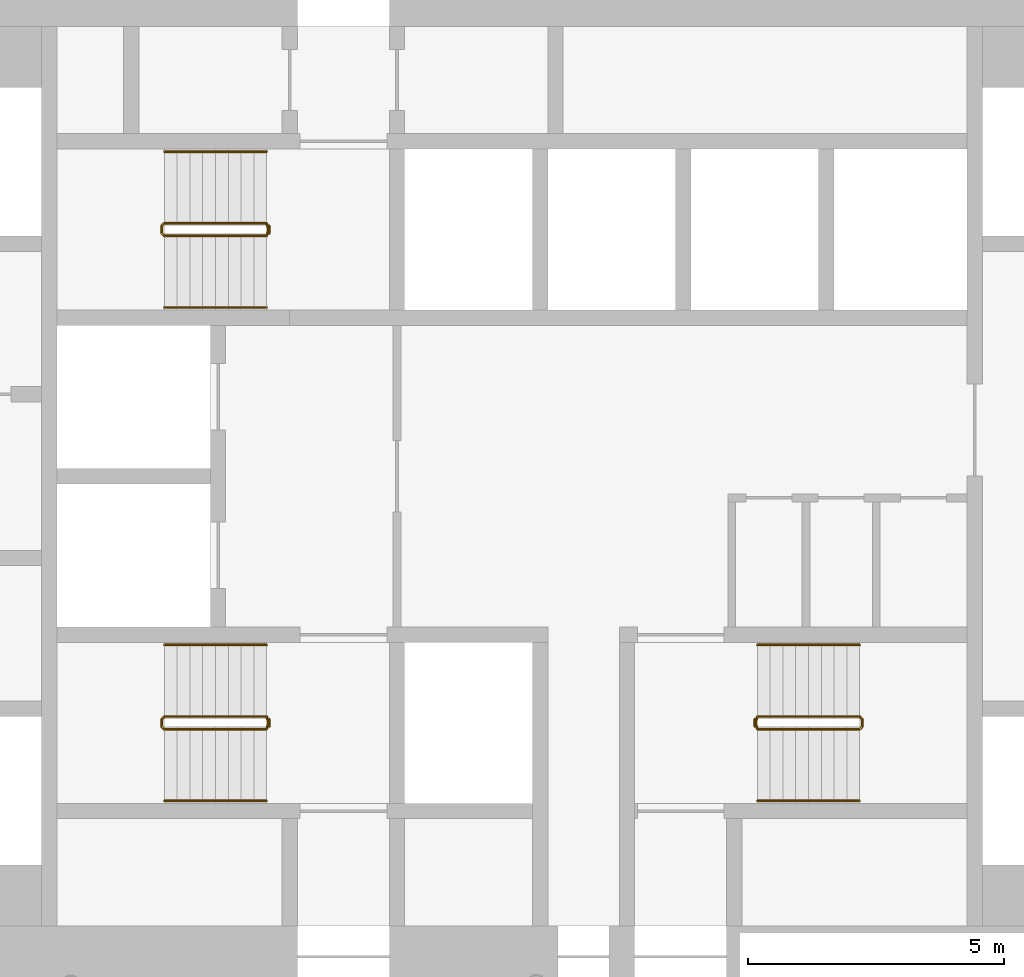
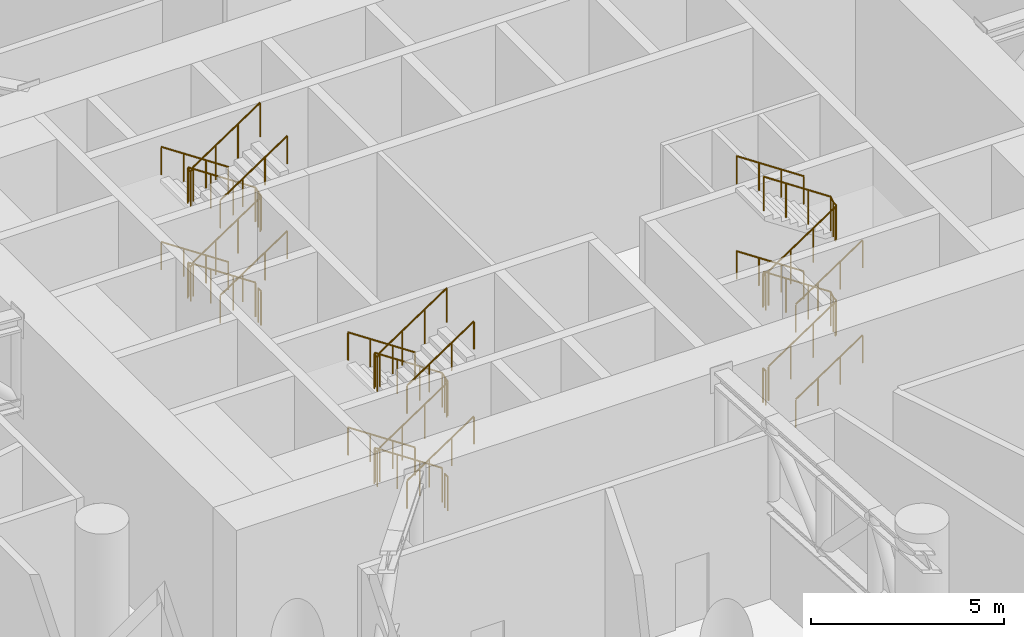
# One storey, part 17 of 17: 18 railings.
"""IFC4 building model written with IfcOpenShell, lengths in metres."""

from ifc_helpers import new_model, si_unit, direction, frame, origin, origin_2d, place, context, subcontext, project, spatial, circle, extrude, material, type_object, element, save


model = new_model("IFC4")

# Units and contexts
model_context = context("Model", 3, precision=1e-05, world=origin(), true_north=direction((0.0, 1.0)))
body_context = subcontext(model_context, "Body", "Model", "MODEL_VIEW")
ifc_project = project(units=[si_unit("LENGTHUNIT", "METRE"), si_unit("AREAUNIT", "SQUARE_METRE"), si_unit("VOLUMEUNIT", "CUBIC_METRE"), si_unit("PLANEANGLEUNIT", "RADIAN"), si_unit("MASSUNIT", "GRAM", prefix="KILO")], contexts=[model_context])

# Site, building, storey
site_placement = place(None, origin())
site = spatial("IfcSite", under=ifc_project, at=site_placement, CompositionType="ELEMENT")
building_placement = place(site_placement, origin())
building = spatial("IfcBuilding", under=site, at=building_placement, Name="Tracery Tower", CompositionType="ELEMENT")
storey_placement = place(building_placement, frame((0.0, 0.0, 120.0)))
storey = spatial("IfcBuildingStorey", under=building, at=storey_placement, Name="L30 Plant", CompositionType="ELEMENT", Elevation=120.0)

# Railings
ifc_material_1 = material(Name="Stainless steel and laminated glass", Category="steel")
railing_type_1 = type_object("IfcRailingType", Name="Stair guard 1100", PredefinedType="GUARDRAIL", material=ifc_material_1)
railing_1_placement = place(storey_placement, frame((-4.800048828125, -4.699951171875, 0.166748046875)))
element("IfcRailing", 1, at=railing_1_placement, inside=storey, type_object=railing_type_1, Name="L30 Plant stair ST1 guard 1", PredefinedType="GUARDRAIL", context=body_context, shape_type="SweptSolid", body=[
    extrude(circle(Radius=0.02392578125, at=origin_2d()), frame((0.0, 0.0, 1.076171875), z_axis=(-0.832065920246, 0.0, 0.554676756648), x_axis=(0.0, -1.0, 0.0)), (0.0, 0.0, 1.0), 2.403564453125),
    extrude(circle(Radius=0.02392578125, at=origin_2d()), frame((-2.0, 0.0, 2.4091796875), z_axis=(-0.707106781187, -0.707106781187, 0.0), x_axis=(0.707106781187, -0.707106781187, 0.0)), (0.0, 0.0, 1.0), 0.07080078125),
    extrude(circle(Radius=0.02392578125, at=origin_2d()), frame((-2.050048828125, -0.050048828125, 2.4091796875), z_axis=(0.0, -1.0, 0.0), x_axis=(1.0, 0.0, 0.0)), (0.0, 0.0, 1.0), 0.14990234375),
    extrude(circle(Radius=0.02392578125, at=origin_2d()), frame((-2.050048828125, -0.199951171875, 2.4091796875), z_axis=(0.27628659633, -0.27628659633, 0.920506074601), x_axis=(0.707106781187, 0.707106781187, 0.0)), (0.0, 0.0, 1.0), 0.18115234375),
    extrude(circle(Radius=0.02392578125, at=origin_2d()), frame((-2.0, -0.25, 2.576171875), z_axis=(0.832065920246, 0.0, 0.554676756648), x_axis=(0.0, 1.0, 0.0)), (0.0, 0.0, 1.0), 2.403564453125),
    extrude(circle(Radius=0.02392578125, at=origin_2d()), frame((0.0, -0.25, 3.9091796875), z_axis=(0.242814311512, 0.970072785993, 0.0), x_axis=(-0.970072785993, 0.242814311512, 0.0)), (0.0, 0.0, 1.0), 0.2060546875),
    extrude(circle(Radius=0.02392578125, at=origin_2d()), frame((0.050048828125, -0.050048828125, 3.9091796875), z_axis=(0.0, -1.0, 0.0), x_axis=(1.0, 0.0, 0.0)), (0.0, 0.0, 1.0), 0.14990234375),
    extrude(circle(Radius=0.02392578125, at=origin_2d()), frame((0.050048828125, -0.199951171875, 3.9091796875), z_axis=(-0.188775798145, 0.754182335027, 0.628945707965), x_axis=(-0.970072785993, -0.242814311512, 0.0)), (0.0, 0.0, 1.0), 0.26513671875),
    extrude(circle(Radius=0.02392578125, at=origin_2d()), frame((0.0, 0.0, 4.076171875), z_axis=(-0.832065920246, 0.0, 0.554676756648), x_axis=(0.0, -1.0, 0.0)), (0.0, 0.0, 1.0), 2.403564453125),
    extrude(circle(Radius=0.02392578125, at=origin_2d()), frame((-2.0, 0.0, 5.4091796875), z_axis=(-0.707106781187, -0.707106781187, 0.0), x_axis=(0.707106781187, -0.707106781187, 0.0)), (0.0, 0.0, 1.0), 0.07080078125),
    extrude(circle(Radius=0.02392578125, at=origin_2d()), frame((-2.050048828125, -0.050048828125, 5.4091796875), z_axis=(0.0, -1.0, 0.0), x_axis=(1.0, 0.0, 0.0)), (0.0, 0.0, 1.0), 0.14990234375),
    extrude(circle(Radius=0.02392578125, at=origin_2d()), frame((-2.050048828125, -0.199951171875, 5.4091796875), z_axis=(0.27628659633, -0.27628659633, 0.920506074601), x_axis=(0.707106781187, 0.707106781187, 0.0)), (0.0, 0.0, 1.0), 0.18115234375),
    extrude(circle(Radius=0.02392578125, at=origin_2d()), frame((-2.0, -0.25, 5.576171875), z_axis=(0.832065920246, 0.0, 0.554676756648), x_axis=(0.0, 1.0, 0.0)), (0.0, 0.0, 1.0), 2.403564453125),
    extrude(circle(Radius=0.02099609375, at=origin_2d()), origin(), (0.0, 0.0, 1.0), 1.052001953125),
    extrude(circle(Radius=0.02099609375, at=origin_2d()), frame((-0.666748046875, 0.0, 0.4443359375)), (0.0, 0.0, 1.0), 1.052001953125),
    extrude(circle(Radius=0.02099609375, at=origin_2d()), frame((-1.333251953125, 0.0, 0.888916015625)), (0.0, 0.0, 1.0), 1.052001953125),
    extrude(circle(Radius=0.02099609375, at=origin_2d()), frame((-2.0, 0.0, 1.333251953125)), (0.0, 0.0, 1.0), 1.052001953125),
    extrude(circle(Radius=0.02099609375, at=origin_2d()), frame((-2.050048828125, -0.050048828125, 1.333251953125)), (0.0, 0.0, 1.0), 1.052001953125),
    extrude(circle(Radius=0.02099609375, at=origin_2d()), frame((-2.050048828125, -0.199951171875, 1.333251953125)), (0.0, 0.0, 1.0), 1.052001953125),
    extrude(circle(Radius=0.02099609375, at=origin_2d()), frame((-2.0, -0.25, 1.5)), (0.0, 0.0, 1.0), 1.052001953125),
    extrude(circle(Radius=0.02099609375, at=origin_2d()), frame((-1.333251953125, -0.25, 1.9443359375)), (0.0, 0.0, 1.0), 1.052001953125),
    extrude(circle(Radius=0.02099609375, at=origin_2d()), frame((-0.666748046875, -0.25, 2.388916015625)), (0.0, 0.0, 1.0), 1.052001953125),
    extrude(circle(Radius=0.02099609375, at=origin_2d()), frame((0.0, -0.25, 2.833251953125)), (0.0, 0.0, 1.0), 1.052001953125),
    extrude(circle(Radius=0.02099609375, at=origin_2d()), frame((0.050048828125, -0.050048828125, 2.833251953125)), (0.0, 0.0, 1.0), 1.052001953125),
    extrude(circle(Radius=0.02099609375, at=origin_2d()), frame((0.050048828125, -0.199951171875, 2.833251953125)), (0.0, 0.0, 1.0), 1.052001953125),
    extrude(circle(Radius=0.02099609375, at=origin_2d()), frame((0.0, 0.0, 3.0)), (0.0, 0.0, 1.0), 1.052001953125),
    extrude(circle(Radius=0.02099609375, at=origin_2d()), frame((-0.666748046875, 0.0, 3.4443359375)), (0.0, 0.0, 1.0), 1.052001953125),
    extrude(circle(Radius=0.02099609375, at=origin_2d()), frame((-1.333251953125, 0.0, 3.888916015625)), (0.0, 0.0, 1.0), 1.052001953125),
    extrude(circle(Radius=0.02099609375, at=origin_2d()), frame((-2.0, 0.0, 4.333251953125)), (0.0, 0.0, 1.0), 1.052001953125),
    extrude(circle(Radius=0.02099609375, at=origin_2d()), frame((-2.050048828125, -0.050048828125, 4.333251953125)), (0.0, 0.0, 1.0), 1.052001953125),
    extrude(circle(Radius=0.02099609375, at=origin_2d()), frame((-2.050048828125, -0.199951171875, 4.333251953125)), (0.0, 0.0, 1.0), 1.052001953125),
    extrude(circle(Radius=0.02099609375, at=origin_2d()), frame((-2.0, -0.25, 4.5)), (0.0, 0.0, 1.0), 1.052001953125),
    extrude(circle(Radius=0.02099609375, at=origin_2d()), frame((-1.333251953125, -0.25, 4.9443359375)), (0.0, 0.0, 1.0), 1.052001953125),
    extrude(circle(Radius=0.02099609375, at=origin_2d()), frame((-0.666748046875, -0.25, 5.388916015625)), (0.0, 0.0, 1.0), 1.052001953125),
    extrude(circle(Radius=0.02099609375, at=origin_2d()), frame((0.0, -0.25, 5.833251953125)), (0.0, 0.0, 1.0), 1.052001953125),
])
railing_2_placement = place(storey_placement, frame((-4.75, -4.75, 0.0)))
element("IfcRailing", 2, at=railing_2_placement, inside=storey, type_object=railing_type_1, Name="L30 Plant stair ST1 guard 2", PredefinedType="GUARDRAIL", context=body_context, shape_type="SweptSolid", body=[
    extrude(circle(Radius=0.02392578125, at=origin_2d()), frame((0.0, 0.0, 1.076171875), z_axis=(0.0, -1.0, 0.0), x_axis=(1.0, 0.0, 0.0)), (0.0, 0.0, 1.0), 0.14990234375),
    extrude(circle(Radius=0.02099609375, at=origin_2d()), origin(), (0.0, 0.0, 1.0), 1.052001953125),
    extrude(circle(Radius=0.02099609375, at=origin_2d()), frame((0.0, -0.14990234375, 0.0)), (0.0, 0.0, 1.0), 1.052001953125),
])
railing_3_placement = place(storey_placement, frame((-4.800048828125, 4.949951171875, 0.166748046875)))
element("IfcRailing", 3, at=railing_3_placement, inside=storey, type_object=railing_type_1, Name="L30 Plant stair ST3 guard 1", PredefinedType="GUARDRAIL", context=body_context, shape_type="SweptSolid", body=[
    extrude(circle(Radius=0.02392578125, at=origin_2d()), frame((0.0, 0.0, 1.076171875), z_axis=(-0.832065920246, 0.0, 0.554676756648), x_axis=(0.0, -1.0, 0.0)), (0.0, 0.0, 1.0), 2.403564453125),
    extrude(circle(Radius=0.02392578125, at=origin_2d()), frame((-2.0, 0.0, 2.4091796875), z_axis=(-0.707106781187, -0.707106781187, 0.0), x_axis=(0.707106781187, -0.707106781187, 0.0)), (0.0, 0.0, 1.0), 0.07080078125),
    extrude(circle(Radius=0.02392578125, at=origin_2d()), frame((-2.050048828125, -0.050048828125, 2.4091796875), z_axis=(0.0, -1.0, 0.0), x_axis=(1.0, 0.0, 0.0)), (0.0, 0.0, 1.0), 0.14990234375),
    extrude(circle(Radius=0.02392578125, at=origin_2d()), frame((-2.050048828125, -0.199951171875, 2.4091796875), z_axis=(0.27628659633, -0.27628659633, 0.920506074601), x_axis=(0.707106781187, 0.707106781187, 0.0)), (0.0, 0.0, 1.0), 0.18115234375),
    extrude(circle(Radius=0.02392578125, at=origin_2d()), frame((-2.0, -0.25, 2.576171875), z_axis=(0.832065920246, 0.0, 0.554676756648), x_axis=(0.0, 1.0, 0.0)), (0.0, 0.0, 1.0), 2.403564453125),
    extrude(circle(Radius=0.02392578125, at=origin_2d()), frame((0.0, -0.25, 3.9091796875), z_axis=(0.242814311512, 0.970072785993, 0.0), x_axis=(-0.970072785993, 0.242814311512, 0.0)), (0.0, 0.0, 1.0), 0.2060546875),
    extrude(circle(Radius=0.02392578125, at=origin_2d()), frame((0.050048828125, -0.050048828125, 3.9091796875), z_axis=(0.0, -1.0, 0.0), x_axis=(1.0, 0.0, 0.0)), (0.0, 0.0, 1.0), 0.14990234375),
    extrude(circle(Radius=0.02392578125, at=origin_2d()), frame((0.050048828125, -0.199951171875, 3.9091796875), z_axis=(-0.188775798145, 0.754182335027, 0.628945707965), x_axis=(-0.970072785993, -0.242814311512, 0.0)), (0.0, 0.0, 1.0), 0.26513671875),
    extrude(circle(Radius=0.02392578125, at=origin_2d()), frame((0.0, 0.0, 4.076171875), z_axis=(-0.832065920246, 0.0, 0.554676756648), x_axis=(0.0, -1.0, 0.0)), (0.0, 0.0, 1.0), 2.403564453125),
    extrude(circle(Radius=0.02392578125, at=origin_2d()), frame((-2.0, 0.0, 5.4091796875), z_axis=(-0.707106781187, -0.707106781187, 0.0), x_axis=(0.707106781187, -0.707106781187, 0.0)), (0.0, 0.0, 1.0), 0.07080078125),
    extrude(circle(Radius=0.02392578125, at=origin_2d()), frame((-2.050048828125, -0.050048828125, 5.4091796875), z_axis=(0.0, -1.0, 0.0), x_axis=(1.0, 0.0, 0.0)), (0.0, 0.0, 1.0), 0.14990234375),
    extrude(circle(Radius=0.02392578125, at=origin_2d()), frame((-2.050048828125, -0.199951171875, 5.4091796875), z_axis=(0.27628659633, -0.27628659633, 0.920506074601), x_axis=(0.707106781187, 0.707106781187, 0.0)), (0.0, 0.0, 1.0), 0.18115234375),
    extrude(circle(Radius=0.02392578125, at=origin_2d()), frame((-2.0, -0.25, 5.576171875), z_axis=(0.832065920246, 0.0, 0.554676756648), x_axis=(0.0, 1.0, 0.0)), (0.0, 0.0, 1.0), 2.403564453125),
    extrude(circle(Radius=0.02099609375, at=origin_2d()), origin(), (0.0, 0.0, 1.0), 1.052001953125),
    extrude(circle(Radius=0.02099609375, at=origin_2d()), frame((-0.666748046875, 0.0, 0.4443359375)), (0.0, 0.0, 1.0), 1.052001953125),
    extrude(circle(Radius=0.02099609375, at=origin_2d()), frame((-1.333251953125, 0.0, 0.888916015625)), (0.0, 0.0, 1.0), 1.052001953125),
    extrude(circle(Radius=0.02099609375, at=origin_2d()), frame((-2.0, 0.0, 1.333251953125)), (0.0, 0.0, 1.0), 1.052001953125),
    extrude(circle(Radius=0.02099609375, at=origin_2d()), frame((-2.050048828125, -0.050048828125, 1.333251953125)), (0.0, 0.0, 1.0), 1.052001953125),
    extrude(circle(Radius=0.02099609375, at=origin_2d()), frame((-2.050048828125, -0.199951171875, 1.333251953125)), (0.0, 0.0, 1.0), 1.052001953125),
    extrude(circle(Radius=0.02099609375, at=origin_2d()), frame((-2.0, -0.25, 1.5)), (0.0, 0.0, 1.0), 1.052001953125),
    extrude(circle(Radius=0.02099609375, at=origin_2d()), frame((-1.333251953125, -0.25, 1.9443359375)), (0.0, 0.0, 1.0), 1.052001953125),
    extrude(circle(Radius=0.02099609375, at=origin_2d()), frame((-0.666748046875, -0.25, 2.388916015625)), (0.0, 0.0, 1.0), 1.052001953125),
    extrude(circle(Radius=0.02099609375, at=origin_2d()), frame((0.0, -0.25, 2.833251953125)), (0.0, 0.0, 1.0), 1.052001953125),
    extrude(circle(Radius=0.02099609375, at=origin_2d()), frame((0.050048828125, -0.050048828125, 2.833251953125)), (0.0, 0.0, 1.0), 1.052001953125),
    extrude(circle(Radius=0.02099609375, at=origin_2d()), frame((0.050048828125, -0.199951171875, 2.833251953125)), (0.0, 0.0, 1.0), 1.052001953125),
    extrude(circle(Radius=0.02099609375, at=origin_2d()), frame((0.0, 0.0, 3.0)), (0.0, 0.0, 1.0), 1.052001953125),
    extrude(circle(Radius=0.02099609375, at=origin_2d()), frame((-0.666748046875, 0.0, 3.4443359375)), (0.0, 0.0, 1.0), 1.052001953125),
    extrude(circle(Radius=0.02099609375, at=origin_2d()), frame((-1.333251953125, 0.0, 3.888916015625)), (0.0, 0.0, 1.0), 1.052001953125),
    extrude(circle(Radius=0.02099609375, at=origin_2d()), frame((-2.0, 0.0, 4.333251953125)), (0.0, 0.0, 1.0), 1.052001953125),
    extrude(circle(Radius=0.02099609375, at=origin_2d()), frame((-2.050048828125, -0.050048828125, 4.333251953125)), (0.0, 0.0, 1.0), 1.052001953125),
    extrude(circle(Radius=0.02099609375, at=origin_2d()), frame((-2.050048828125, -0.199951171875, 4.333251953125)), (0.0, 0.0, 1.0), 1.052001953125),
    extrude(circle(Radius=0.02099609375, at=origin_2d()), frame((-2.0, -0.25, 4.5)), (0.0, 0.0, 1.0), 1.052001953125),
    extrude(circle(Radius=0.02099609375, at=origin_2d()), frame((-1.333251953125, -0.25, 4.9443359375)), (0.0, 0.0, 1.0), 1.052001953125),
    extrude(circle(Radius=0.02099609375, at=origin_2d()), frame((-0.666748046875, -0.25, 5.388916015625)), (0.0, 0.0, 1.0), 1.052001953125),
    extrude(circle(Radius=0.02099609375, at=origin_2d()), frame((0.0, -0.25, 5.833251953125)), (0.0, 0.0, 1.0), 1.052001953125),
])
railing_4_placement = place(storey_placement, frame((-4.75, 4.89990234375, 0.0)))
element("IfcRailing", 4, at=railing_4_placement, inside=storey, type_object=railing_type_1, Name="L30 Plant stair ST3 guard 2", PredefinedType="GUARDRAIL", context=body_context, shape_type="SweptSolid", body=[
    extrude(circle(Radius=0.02392578125, at=origin_2d()), frame((0.0, 0.0, 1.076171875), z_axis=(0.0, -1.0, 0.0), x_axis=(1.0, 0.0, 0.0)), (0.0, 0.0, 1.0), 0.14990234375),
    extrude(circle(Radius=0.02099609375, at=origin_2d()), origin(), (0.0, 0.0, 1.0), 1.052001953125),
    extrude(circle(Radius=0.02099609375, at=origin_2d()), frame((0.0, -0.14990234375, 0.0)), (0.0, 0.0, 1.0), 1.052001953125),
])
railing_5_placement = place(storey_placement, frame((4.800048828125, -4.949951171875, 0.166748046875)))
element("IfcRailing", 5, at=railing_5_placement, inside=storey, type_object=railing_type_1, Name="L30 Plant stair ST2 guard 1", PredefinedType="GUARDRAIL", context=body_context, shape_type="SweptSolid", body=[
    extrude(circle(Radius=0.02392578125, at=origin_2d()), frame((0.0, 0.0, 1.076171875), z_axis=(0.832065920246, 0.0, 0.554676756648), x_axis=(0.0, 1.0, 0.0)), (0.0, 0.0, 1.0), 2.403564453125),
    extrude(circle(Radius=0.02392578125, at=origin_2d()), frame((2.0, 0.0, 2.4091796875), z_axis=(0.707106781187, 0.707106781187, 0.0), x_axis=(-0.707106781187, 0.707106781187, 0.0)), (0.0, 0.0, 1.0), 0.07080078125),
    extrude(circle(Radius=0.02392578125, at=origin_2d()), frame((2.050048828125, 0.050048828125, 2.4091796875), z_axis=(0.0, 1.0, 0.0), x_axis=(-1.0, 0.0, 0.0)), (0.0, 0.0, 1.0), 0.14990234375),
    extrude(circle(Radius=0.02392578125, at=origin_2d()), frame((2.050048828125, 0.199951171875, 2.4091796875), z_axis=(-0.27628659633, 0.27628659633, 0.920506074601), x_axis=(-0.707106781187, -0.707106781187, 0.0)), (0.0, 0.0, 1.0), 0.18115234375),
    extrude(circle(Radius=0.02392578125, at=origin_2d()), frame((2.0, 0.25, 2.576171875), z_axis=(-0.832065920246, 0.0, 0.554676756648), x_axis=(0.0, -1.0, 0.0)), (0.0, 0.0, 1.0), 2.403564453125),
    extrude(circle(Radius=0.02392578125, at=origin_2d()), frame((0.0, 0.25, 3.9091796875), z_axis=(-0.242814311512, -0.970072785993, 0.0), x_axis=(0.970072785993, -0.242814311512, 0.0)), (0.0, 0.0, 1.0), 0.2060546875),
    extrude(circle(Radius=0.02392578125, at=origin_2d()), frame((-0.050048828125, 0.050048828125, 3.9091796875), z_axis=(0.0, 1.0, 0.0), x_axis=(-1.0, 0.0, 0.0)), (0.0, 0.0, 1.0), 0.14990234375),
    extrude(circle(Radius=0.02392578125, at=origin_2d()), frame((-0.050048828125, 0.199951171875, 3.9091796875), z_axis=(0.188775798145, -0.754182335027, 0.628945707965), x_axis=(0.970072785993, 0.242814311512, 0.0)), (0.0, 0.0, 1.0), 0.26513671875),
    extrude(circle(Radius=0.02392578125, at=origin_2d()), frame((0.0, 0.0, 4.076171875), z_axis=(0.832065920246, 0.0, 0.554676756648), x_axis=(0.0, 1.0, 0.0)), (0.0, 0.0, 1.0), 2.403564453125),
    extrude(circle(Radius=0.02392578125, at=origin_2d()), frame((2.0, 0.0, 5.4091796875), z_axis=(0.707106781187, 0.707106781187, 0.0), x_axis=(-0.707106781187, 0.707106781187, 0.0)), (0.0, 0.0, 1.0), 0.07080078125),
    extrude(circle(Radius=0.02392578125, at=origin_2d()), frame((2.050048828125, 0.050048828125, 5.4091796875), z_axis=(0.0, 1.0, 0.0), x_axis=(-1.0, 0.0, 0.0)), (0.0, 0.0, 1.0), 0.14990234375),
    extrude(circle(Radius=0.02392578125, at=origin_2d()), frame((2.050048828125, 0.199951171875, 5.4091796875), z_axis=(-0.27628659633, 0.27628659633, 0.920506074601), x_axis=(-0.707106781187, -0.707106781187, 0.0)), (0.0, 0.0, 1.0), 0.18115234375),
    extrude(circle(Radius=0.02392578125, at=origin_2d()), frame((2.0, 0.25, 5.576171875), z_axis=(-0.832065920246, 0.0, 0.554676756648), x_axis=(0.0, -1.0, 0.0)), (0.0, 0.0, 1.0), 2.403564453125),
    extrude(circle(Radius=0.02099609375, at=origin_2d()), origin(), (0.0, 0.0, 1.0), 1.052001953125),
    extrude(circle(Radius=0.02099609375, at=origin_2d()), frame((0.666748046875, 0.0, 0.4443359375)), (0.0, 0.0, 1.0), 1.052001953125),
    extrude(circle(Radius=0.02099609375, at=origin_2d()), frame((1.333251953125, 0.0, 0.888916015625)), (0.0, 0.0, 1.0), 1.052001953125),
    extrude(circle(Radius=0.02099609375, at=origin_2d()), frame((2.0, 0.0, 1.333251953125)), (0.0, 0.0, 1.0), 1.052001953125),
    extrude(circle(Radius=0.02099609375, at=origin_2d()), frame((2.050048828125, 0.050048828125, 1.333251953125)), (0.0, 0.0, 1.0), 1.052001953125),
    extrude(circle(Radius=0.02099609375, at=origin_2d()), frame((2.050048828125, 0.199951171875, 1.333251953125)), (0.0, 0.0, 1.0), 1.052001953125),
    extrude(circle(Radius=0.02099609375, at=origin_2d()), frame((2.0, 0.25, 1.5)), (0.0, 0.0, 1.0), 1.052001953125),
    extrude(circle(Radius=0.02099609375, at=origin_2d()), frame((1.333251953125, 0.25, 1.9443359375)), (0.0, 0.0, 1.0), 1.052001953125),
    extrude(circle(Radius=0.02099609375, at=origin_2d()), frame((0.666748046875, 0.25, 2.388916015625)), (0.0, 0.0, 1.0), 1.052001953125),
    extrude(circle(Radius=0.02099609375, at=origin_2d()), frame((0.0, 0.25, 2.833251953125)), (0.0, 0.0, 1.0), 1.052001953125),
    extrude(circle(Radius=0.02099609375, at=origin_2d()), frame((-0.050048828125, 0.050048828125, 2.833251953125)), (0.0, 0.0, 1.0), 1.052001953125),
    extrude(circle(Radius=0.02099609375, at=origin_2d()), frame((-0.050048828125, 0.199951171875, 2.833251953125)), (0.0, 0.0, 1.0), 1.052001953125),
    extrude(circle(Radius=0.02099609375, at=origin_2d()), frame((0.0, 0.0, 3.0)), (0.0, 0.0, 1.0), 1.052001953125),
    extrude(circle(Radius=0.02099609375, at=origin_2d()), frame((0.666748046875, 0.0, 3.4443359375)), (0.0, 0.0, 1.0), 1.052001953125),
    extrude(circle(Radius=0.02099609375, at=origin_2d()), frame((1.333251953125, 0.0, 3.888916015625)), (0.0, 0.0, 1.0), 1.052001953125),
    extrude(circle(Radius=0.02099609375, at=origin_2d()), frame((2.0, 0.0, 4.333251953125)), (0.0, 0.0, 1.0), 1.052001953125),
    extrude(circle(Radius=0.02099609375, at=origin_2d()), frame((2.050048828125, 0.050048828125, 4.333251953125)), (0.0, 0.0, 1.0), 1.052001953125),
    extrude(circle(Radius=0.02099609375, at=origin_2d()), frame((2.050048828125, 0.199951171875, 4.333251953125)), (0.0, 0.0, 1.0), 1.052001953125),
    extrude(circle(Radius=0.02099609375, at=origin_2d()), frame((2.0, 0.25, 4.5)), (0.0, 0.0, 1.0), 1.052001953125),
    extrude(circle(Radius=0.02099609375, at=origin_2d()), frame((1.333251953125, 0.25, 4.9443359375)), (0.0, 0.0, 1.0), 1.052001953125),
    extrude(circle(Radius=0.02099609375, at=origin_2d()), frame((0.666748046875, 0.25, 5.388916015625)), (0.0, 0.0, 1.0), 1.052001953125),
    extrude(circle(Radius=0.02099609375, at=origin_2d()), frame((0.0, 0.25, 5.833251953125)), (0.0, 0.0, 1.0), 1.052001953125),
])
railing_6_placement = place(storey_placement, frame((4.75, -4.89990234375, 0.0)))
element("IfcRailing", 6, at=railing_6_placement, inside=storey, type_object=railing_type_1, Name="L30 Plant stair ST2 guard 2", PredefinedType="GUARDRAIL", context=body_context, shape_type="SweptSolid", body=[
    extrude(circle(Radius=0.02392578125, at=origin_2d()), frame((0.0, 0.0, 1.076171875), z_axis=(0.0, 1.0, 0.0), x_axis=(-1.0, 0.0, 0.0)), (0.0, 0.0, 1.0), 0.14990234375),
    extrude(circle(Radius=0.02099609375, at=origin_2d()), origin(), (0.0, 0.0, 1.0), 1.052001953125),
    extrude(circle(Radius=0.02099609375, at=origin_2d()), frame((0.0, 0.14990234375, 0.0)), (0.0, 0.0, 1.0), 1.052001953125),
])
ifc_material_2 = material(Name="Stainless steel and laminated glass", Category="steel")
railing_type_2 = type_object("IfcRailingType", Name="Stair handrail 900", PredefinedType="HANDRAIL", material=ifc_material_2)
railing_7_placement = place(storey_placement, frame((-4.800048828125, -3.300048828125, 0.166748046875)))
element("IfcRailing", 7, at=railing_7_placement, inside=storey, type_object=railing_type_2, Name="L30 Plant stair ST1 handrail 1", PredefinedType="HANDRAIL", context=body_context, shape_type="SweptSolid", body=[
    extrude(circle(Radius=0.02392578125, at=origin_2d()), frame((0.0, 0.0, 0.8759765625), z_axis=(-0.832065920246, 0.0, 0.554676756648), x_axis=(0.0, -1.0, 0.0)), (0.0, 0.0, 1.0), 2.403564453125),
    extrude(circle(Radius=0.02099609375, at=origin_2d()), origin(), (0.0, 0.0, 1.0), 0.851806640625),
    extrude(circle(Radius=0.02099609375, at=origin_2d()), frame((-0.666748046875, 0.0, 0.4443359375)), (0.0, 0.0, 1.0), 0.851806640625),
    extrude(circle(Radius=0.02099609375, at=origin_2d()), frame((-1.333251953125, 0.0, 0.888916015625)), (0.0, 0.0, 1.0), 0.851806640625),
    extrude(circle(Radius=0.02099609375, at=origin_2d()), frame((-2.0, 0.0, 1.333251953125)), (0.0, 0.0, 1.0), 0.851806640625),
])
railing_8_placement = place(storey_placement, frame((-6.800048828125, -6.35009765625, 1.666748046875)))
element("IfcRailing", 8, at=railing_8_placement, inside=storey, type_object=railing_type_2, Name="L30 Plant stair ST1 handrail 2", PredefinedType="HANDRAIL", context=body_context, shape_type="SweptSolid", body=[
    extrude(circle(Radius=0.02392578125, at=origin_2d()), frame((0.0, 0.0, 0.8759765625), z_axis=(0.832065920246, 0.0, 0.554676756648), x_axis=(0.0, 1.0, 0.0)), (0.0, 0.0, 1.0), 2.403564453125),
    extrude(circle(Radius=0.02099609375, at=origin_2d()), origin(), (0.0, 0.0, 1.0), 0.851806640625),
    extrude(circle(Radius=0.02099609375, at=origin_2d()), frame((0.666748046875, 0.0, 0.4443359375)), (0.0, 0.0, 1.0), 0.851806640625),
    extrude(circle(Radius=0.02099609375, at=origin_2d()), frame((1.333251953125, 0.0, 0.888916015625)), (0.0, 0.0, 1.0), 0.851806640625),
    extrude(circle(Radius=0.02099609375, at=origin_2d()), frame((2.0, 0.0, 1.333251953125)), (0.0, 0.0, 1.0), 0.851806640625),
])
railing_9_placement = place(storey_placement, frame((-4.800048828125, -3.300048828125, 3.166748046875)))
element("IfcRailing", 9, at=railing_9_placement, inside=storey, type_object=railing_type_2, Name="L30 Plant stair ST1 handrail 3", PredefinedType="HANDRAIL", context=body_context, shape_type="SweptSolid", body=[
    extrude(circle(Radius=0.02392578125, at=origin_2d()), frame((0.0, 0.0, 0.8759765625), z_axis=(-0.832065920246, 0.0, 0.554676756648), x_axis=(0.0, -1.0, 0.0)), (0.0, 0.0, 1.0), 2.403564453125),
    extrude(circle(Radius=0.02099609375, at=origin_2d()), origin(), (0.0, 0.0, 1.0), 0.851806640625),
    extrude(circle(Radius=0.02099609375, at=origin_2d()), frame((-0.666748046875, 0.0, 0.4443359375)), (0.0, 0.0, 1.0), 0.851806640625),
    extrude(circle(Radius=0.02099609375, at=origin_2d()), frame((-1.333251953125, 0.0, 0.888916015625)), (0.0, 0.0, 1.0), 0.851806640625),
    extrude(circle(Radius=0.02099609375, at=origin_2d()), frame((-2.0, 0.0, 1.333251953125)), (0.0, 0.0, 1.0), 0.851806640625),
])
railing_10_placement = place(storey_placement, frame((-6.800048828125, -6.35009765625, 4.666748046875)))
element("IfcRailing", 10, at=railing_10_placement, inside=storey, type_object=railing_type_2, Name="L30 Plant stair ST1 handrail 4", PredefinedType="HANDRAIL", context=body_context, shape_type="SweptSolid", body=[
    extrude(circle(Radius=0.02392578125, at=origin_2d()), frame((0.0, 0.0, 0.8759765625), z_axis=(0.832065920246, 0.0, 0.554676756648), x_axis=(0.0, 1.0, 0.0)), (0.0, 0.0, 1.0), 2.403564453125),
    extrude(circle(Radius=0.02099609375, at=origin_2d()), origin(), (0.0, 0.0, 1.0), 0.851806640625),
    extrude(circle(Radius=0.02099609375, at=origin_2d()), frame((0.666748046875, 0.0, 0.4443359375)), (0.0, 0.0, 1.0), 0.851806640625),
    extrude(circle(Radius=0.02099609375, at=origin_2d()), frame((1.333251953125, 0.0, 0.888916015625)), (0.0, 0.0, 1.0), 0.851806640625),
    extrude(circle(Radius=0.02099609375, at=origin_2d()), frame((2.0, 0.0, 1.333251953125)), (0.0, 0.0, 1.0), 0.851806640625),
])
railing_11_placement = place(storey_placement, frame((-4.800048828125, 6.35009765625, 0.166748046875)))
element("IfcRailing", 11, at=railing_11_placement, inside=storey, type_object=railing_type_2, Name="L30 Plant stair ST3 handrail 1", PredefinedType="HANDRAIL", context=body_context, shape_type="SweptSolid", body=[
    extrude(circle(Radius=0.02392578125, at=origin_2d()), frame((0.0, 0.0, 0.8759765625), z_axis=(-0.832065920246, 0.0, 0.554676756648), x_axis=(0.0, -1.0, 0.0)), (0.0, 0.0, 1.0), 2.403564453125),
    extrude(circle(Radius=0.02099609375, at=origin_2d()), origin(), (0.0, 0.0, 1.0), 0.851806640625),
    extrude(circle(Radius=0.02099609375, at=origin_2d()), frame((-0.666748046875, 0.0, 0.4443359375)), (0.0, 0.0, 1.0), 0.851806640625),
    extrude(circle(Radius=0.02099609375, at=origin_2d()), frame((-1.333251953125, 0.0, 0.888916015625)), (0.0, 0.0, 1.0), 0.851806640625),
    extrude(circle(Radius=0.02099609375, at=origin_2d()), frame((-2.0, 0.0, 1.333251953125)), (0.0, 0.0, 1.0), 0.851806640625),
])
railing_12_placement = place(storey_placement, frame((-6.800048828125, 3.300048828125, 1.666748046875)))
element("IfcRailing", 12, at=railing_12_placement, inside=storey, type_object=railing_type_2, Name="L30 Plant stair ST3 handrail 2", PredefinedType="HANDRAIL", context=body_context, shape_type="SweptSolid", body=[
    extrude(circle(Radius=0.02392578125, at=origin_2d()), frame((0.0, 0.0, 0.8759765625), z_axis=(0.832065920246, 0.0, 0.554676756648), x_axis=(0.0, 1.0, 0.0)), (0.0, 0.0, 1.0), 2.403564453125),
    extrude(circle(Radius=0.02099609375, at=origin_2d()), origin(), (0.0, 0.0, 1.0), 0.851806640625),
    extrude(circle(Radius=0.02099609375, at=origin_2d()), frame((0.666748046875, 0.0, 0.4443359375)), (0.0, 0.0, 1.0), 0.851806640625),
    extrude(circle(Radius=0.02099609375, at=origin_2d()), frame((1.333251953125, 0.0, 0.888916015625)), (0.0, 0.0, 1.0), 0.851806640625),
    extrude(circle(Radius=0.02099609375, at=origin_2d()), frame((2.0, 0.0, 1.333251953125)), (0.0, 0.0, 1.0), 0.851806640625),
])
railing_13_placement = place(storey_placement, frame((-4.800048828125, 6.35009765625, 3.166748046875)))
element("IfcRailing", 13, at=railing_13_placement, inside=storey, type_object=railing_type_2, Name="L30 Plant stair ST3 handrail 3", PredefinedType="HANDRAIL", context=body_context, shape_type="SweptSolid", body=[
    extrude(circle(Radius=0.02392578125, at=origin_2d()), frame((0.0, 0.0, 0.8759765625), z_axis=(-0.832065920246, 0.0, 0.554676756648), x_axis=(0.0, -1.0, 0.0)), (0.0, 0.0, 1.0), 2.403564453125),
    extrude(circle(Radius=0.02099609375, at=origin_2d()), origin(), (0.0, 0.0, 1.0), 0.851806640625),
    extrude(circle(Radius=0.02099609375, at=origin_2d()), frame((-0.666748046875, 0.0, 0.4443359375)), (0.0, 0.0, 1.0), 0.851806640625),
    extrude(circle(Radius=0.02099609375, at=origin_2d()), frame((-1.333251953125, 0.0, 0.888916015625)), (0.0, 0.0, 1.0), 0.851806640625),
    extrude(circle(Radius=0.02099609375, at=origin_2d()), frame((-2.0, 0.0, 1.333251953125)), (0.0, 0.0, 1.0), 0.851806640625),
])
for number, where, name in (
    (14, (-6.800048828125, 3.300048828125, 4.666748046875), "L30 Plant stair ST3 handrail 4"),
    (15, (4.800048828125, -6.35009765625, 0.166748046875), "L30 Plant stair ST2 handrail 1"),
):
    element("IfcRailing", number, at=place(storey_placement, frame(where)), inside=storey, type_object=railing_type_2, Name=name, PredefinedType="HANDRAIL", context=body_context, shape_type="SweptSolid", body=[
        extrude(circle(Radius=0.02392578125, at=origin_2d()), frame((0.0, 0.0, 0.8759765625), z_axis=(0.832065920246, 0.0, 0.554676756648), x_axis=(0.0, 1.0, 0.0)), (0.0, 0.0, 1.0), 2.403564453125),
        extrude(circle(Radius=0.02099609375, at=origin_2d()), origin(), (0.0, 0.0, 1.0), 0.851806640625),
        extrude(circle(Radius=0.02099609375, at=origin_2d()), frame((0.666748046875, 0.0, 0.4443359375)), (0.0, 0.0, 1.0), 0.851806640625),
        extrude(circle(Radius=0.02099609375, at=origin_2d()), frame((1.333251953125, 0.0, 0.888916015625)), (0.0, 0.0, 1.0), 0.851806640625),
        extrude(circle(Radius=0.02099609375, at=origin_2d()), frame((2.0, 0.0, 1.333251953125)), (0.0, 0.0, 1.0), 0.851806640625),
    ])
railing_14_placement = place(storey_placement, frame((6.800048828125, -3.300048828125, 1.666748046875)))
element("IfcRailing", 16, at=railing_14_placement, inside=storey, type_object=railing_type_2, Name="L30 Plant stair ST2 handrail 2", PredefinedType="HANDRAIL", context=body_context, shape_type="SweptSolid", body=[
    extrude(circle(Radius=0.02392578125, at=origin_2d()), frame((0.0, 0.0, 0.8759765625), z_axis=(-0.832065920246, 0.0, 0.554676756648), x_axis=(0.0, -1.0, 0.0)), (0.0, 0.0, 1.0), 2.403564453125),
    extrude(circle(Radius=0.02099609375, at=origin_2d()), origin(), (0.0, 0.0, 1.0), 0.851806640625),
    extrude(circle(Radius=0.02099609375, at=origin_2d()), frame((-0.666748046875, 0.0, 0.4443359375)), (0.0, 0.0, 1.0), 0.851806640625),
    extrude(circle(Radius=0.02099609375, at=origin_2d()), frame((-1.333251953125, 0.0, 0.888916015625)), (0.0, 0.0, 1.0), 0.851806640625),
    extrude(circle(Radius=0.02099609375, at=origin_2d()), frame((-2.0, 0.0, 1.333251953125)), (0.0, 0.0, 1.0), 0.851806640625),
])
railing_15_placement = place(storey_placement, frame((4.800048828125, -6.35009765625, 3.166748046875)))
element("IfcRailing", 17, at=railing_15_placement, inside=storey, type_object=railing_type_2, Name="L30 Plant stair ST2 handrail 3", PredefinedType="HANDRAIL", context=body_context, shape_type="SweptSolid", body=[
    extrude(circle(Radius=0.02392578125, at=origin_2d()), frame((0.0, 0.0, 0.8759765625), z_axis=(0.832065920246, 0.0, 0.554676756648), x_axis=(0.0, 1.0, 0.0)), (0.0, 0.0, 1.0), 2.403564453125),
    extrude(circle(Radius=0.02099609375, at=origin_2d()), origin(), (0.0, 0.0, 1.0), 0.851806640625),
    extrude(circle(Radius=0.02099609375, at=origin_2d()), frame((0.666748046875, 0.0, 0.4443359375)), (0.0, 0.0, 1.0), 0.851806640625),
    extrude(circle(Radius=0.02099609375, at=origin_2d()), frame((1.333251953125, 0.0, 0.888916015625)), (0.0, 0.0, 1.0), 0.851806640625),
    extrude(circle(Radius=0.02099609375, at=origin_2d()), frame((2.0, 0.0, 1.333251953125)), (0.0, 0.0, 1.0), 0.851806640625),
])
railing_16_placement = place(storey_placement, frame((6.800048828125, -3.300048828125, 4.666748046875)))
element("IfcRailing", 18, at=railing_16_placement, inside=storey, type_object=railing_type_2, Name="L30 Plant stair ST2 handrail 4", PredefinedType="HANDRAIL", context=body_context, shape_type="SweptSolid", body=[
    extrude(circle(Radius=0.02392578125, at=origin_2d()), frame((0.0, 0.0, 0.8759765625), z_axis=(-0.832065920246, 0.0, 0.554676756648), x_axis=(0.0, -1.0, 0.0)), (0.0, 0.0, 1.0), 2.403564453125),
    extrude(circle(Radius=0.02099609375, at=origin_2d()), origin(), (0.0, 0.0, 1.0), 0.851806640625),
    extrude(circle(Radius=0.02099609375, at=origin_2d()), frame((-0.666748046875, 0.0, 0.4443359375)), (0.0, 0.0, 1.0), 0.851806640625),
    extrude(circle(Radius=0.02099609375, at=origin_2d()), frame((-1.333251953125, 0.0, 0.888916015625)), (0.0, 0.0, 1.0), 0.851806640625),
    extrude(circle(Radius=0.02099609375, at=origin_2d()), frame((-2.0, 0.0, 1.333251953125)), (0.0, 0.0, 1.0), 0.851806640625),
])

save(model, "model.ifc")
